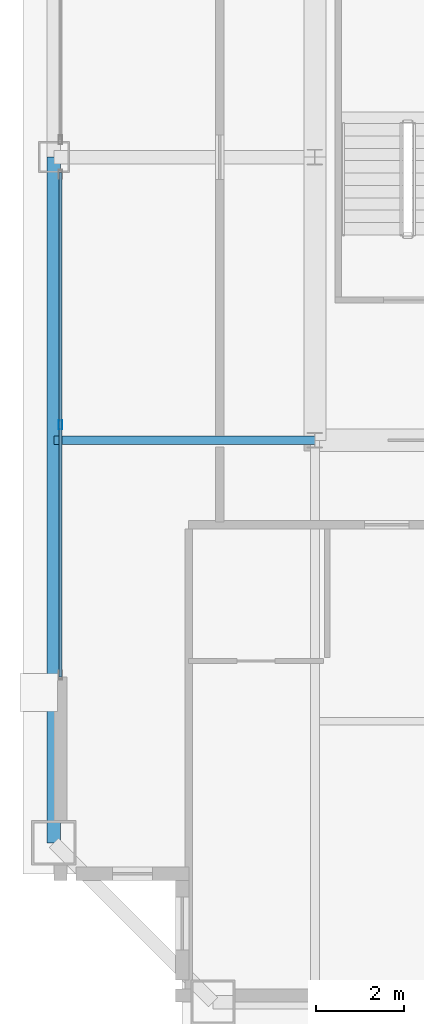
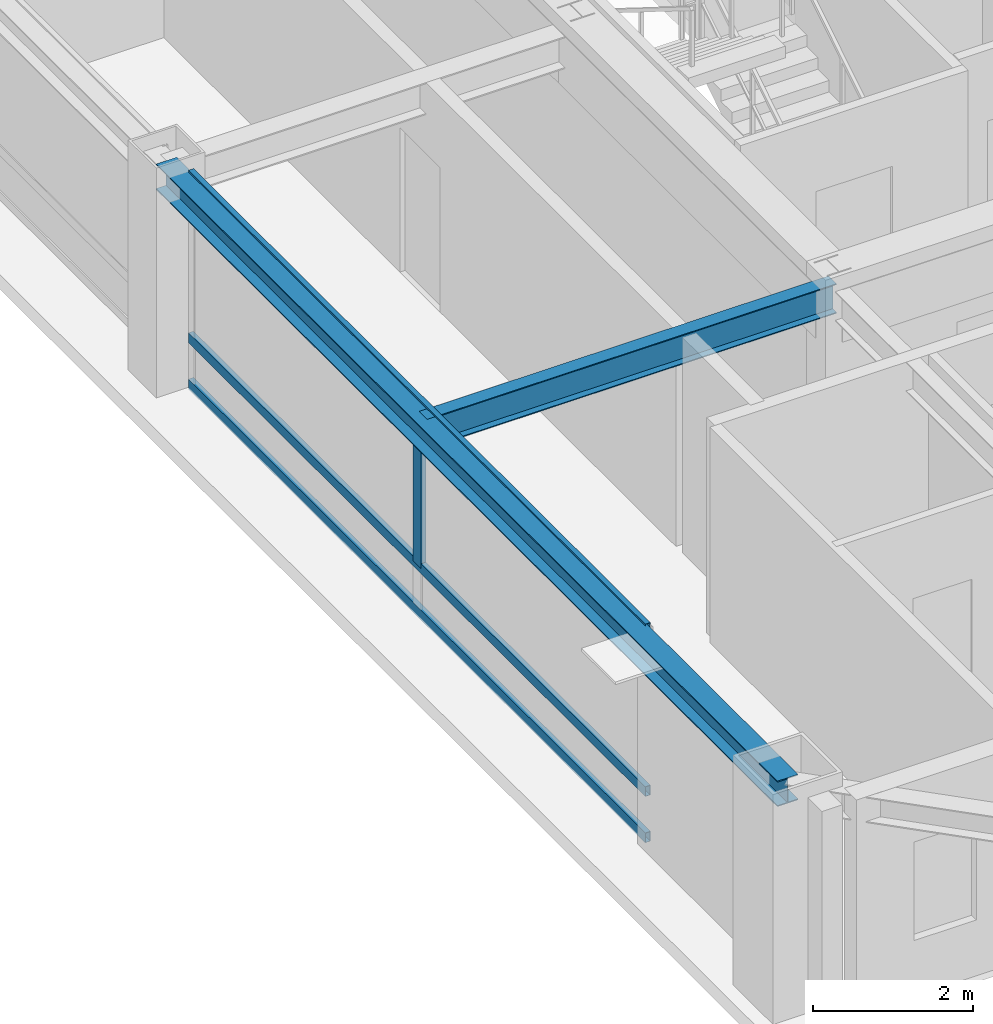
# One storey, part 6 of 35: 4 members, 2 beams, 1 element without a shape of its own.
"""IFC4 building model written with IfcOpenShell, lengths in metres."""

from ifc_helpers import new_model, si_unit, direction, frame, origin, origin_2d, place, context, subcontext, project, spatial, hollow_rectangle, i_section, extrude, source, transform, mapped, material, layer, layer_set, material_profile, profile_set, type_object, element, aggregate, save


model = new_model("IFC4")

# Units and contexts
model_context = context("Model", 3, precision=1e-05, world=origin(), true_north=direction((0.0, 1.0)))
body_context = subcontext(model_context, "Body", "Model", "MODEL_VIEW")
ifc_project = project(units=[si_unit("LENGTHUNIT", "METRE"), si_unit("AREAUNIT", "SQUARE_METRE"), si_unit("VOLUMEUNIT", "CUBIC_METRE"), si_unit("PLANEANGLEUNIT", "RADIAN"), si_unit("MASSUNIT", "GRAM", prefix="KILO"), si_unit("THERMODYNAMICTEMPERATUREUNIT", "KELVIN"), si_unit("POWERUNIT", "WATT")], contexts=[model_context])

# Site, building, storey
site_placement = place(None, origin())
site = spatial("IfcSite", under=ifc_project, at=site_placement, CompositionType="ELEMENT")
building_placement = place(site_placement, origin())
building = spatial("IfcBuilding", under=site, at=building_placement, Name="Yuzanri Waterfront Tower", CompositionType="ELEMENT")
storey_placement = place(building_placement, frame((0.0, 0.0, 311.199951171875)))
storey = spatial("IfcBuildingStorey", under=building, at=storey_placement, Name="L83", CompositionType="ELEMENT", Elevation=311.199951171875)

# Beams
ifc_material_1 = material(Name="Steel Q355B", Category="steel")
ifc_material_profile_1 = material_profile(ifc_material_1, i_section(OverallWidth=0.300048828125, OverallDepth=0.389892578125, WebThickness=0.010009765625, FlangeThickness=0.01611328125, at=origin_2d()), Name="HM 390x300x10x16")
ifc_profile_set_1 = profile_set([ifc_material_profile_1], Name="Steel Q355B")
beam_type_1 = type_object("IfcBeamType", Name="Perimeter Spandrel Q355B HM 390x300", PredefinedType="SPANDREL", material=ifc_profile_set_1)
shared_shape_1 = source(origin(), body_context, "Body", "SweptSolid", [
    extrude(i_section(OverallWidth=0.300048828125, OverallDepth=0.389892578125, WebThickness=0.010009765625, FlangeThickness=0.01611328125, at=origin_2d()), origin(), (0.0, 0.0, 1.0), 15.5),
])
beam_1_placement = place(storey_placement, frame((17.89990234375, 25.800048828125, 3.0849609375), z_axis=(0.0, -1.0, 0.0), x_axis=(1.0, 0.0, 0.0)))
element("IfcBeam", 1, at=beam_1_placement, inside=storey, type_object=beam_type_1, Name="L83 Perimeter Spandrel W2-W1", PredefinedType="SPANDREL", context=body_context, shape_type="MappedRepresentation", body=[
    mapped(shared_shape_1, transform((0.0, 0.0, 0.0), scale=1.0)),
])
ifc_material_2 = material(Name="Steel Q355B", Category="steel")
ifc_material_profile_2 = material_profile(ifc_material_2, i_section(OverallWidth=0.199951171875, OverallDepth=0.449951171875, WebThickness=0.009033203125, FlangeThickness=0.013916015625, at=origin_2d()), Name="HN 450x200x9x14")
ifc_profile_set_2 = profile_set([ifc_material_profile_2], Name="Steel Q355B")
beam_type_2 = type_object("IfcBeamType", Name="Secondary Floor Beam Q355B HN 450x200", PredefinedType="BEAM", material=ifc_profile_set_2)
shared_shape_2 = source(origin(), body_context, "Body", "SweptSolid", [
    extrude(i_section(OverallWidth=0.199951171875, OverallDepth=0.449951171875, WebThickness=0.009033203125, FlangeThickness=0.013916015625, at=origin_2d()), origin(), (0.0, 0.0, 1.0), 5.900146484375),
])
beam_2_placement = place(storey_placement, frame((23.800048828125, 19.39990234375, 3.054931640625), z_axis=(-1.0, 0.0, 0.0), x_axis=(0.0, -1.0, 0.0)))
element("IfcBeam", 2, at=beam_2_placement, inside=storey, type_object=beam_type_2, Name="L83 West-South Core Line Beam", PredefinedType="BEAM", context=body_context, shape_type="MappedRepresentation", body=[
    mapped(shared_shape_2, transform((0.0, 0.0, 0.0), scale=1.0)),
])

# Curtain wall, members
ifc_material_3 = material(Name="Anodized Architectural Bronze", Category="metal")
ifc_layer = layer(ifc_material_3, 0.159912109375)
ifc_layer_set = layer_set([ifc_layer], Name="Anodized Architectural Bronze")
curtain_wall_type = type_object("IfcCurtainWallType", Name="Anodized Bronze High-Rise Penthouse High-Wind Unitized Curtain Wall 6900", PredefinedType="NOTDEFINED", material=ifc_layer_set)
curtain_wall_placement = place(storey_placement, origin())
curtain_wall = element("IfcCurtainWall", 3, at=curtain_wall_placement, inside=storey, type_object=curtain_wall_type, Name="L83 Curtain Wall CW-L83-WL", PredefinedType="NOTDEFINED")
ifc_material_4 = material(Name="Anodized Architectural Bronze", Category="metal")
ifc_material_profile_3 = material_profile(ifc_material_4, hollow_rectangle(XDim=0.074951171875, YDim=0.199951171875, WallThickness=0.00390625, at=origin_2d()), Name="CWM 75x200")
ifc_profile_set_3 = profile_set([ifc_material_profile_3], Name="Anodized Architectural Bronze")
member_type_1 = type_object("IfcMemberType", Name="Anodized Bronze Primary Curtain-Wall Mullion 75x200", PredefinedType="MULLION", material=ifc_profile_set_3)
shared_shape_3 = source(origin(), body_context, "Body", "SweptSolid", [
    extrude(hollow_rectangle(XDim=0.074951171875, YDim=0.199951171875, WallThickness=0.00390625, at=origin_2d()), origin(), (0.0, 0.0, 1.0), 2.52392578125),
])
member_1_placement = place(storey_placement, frame((18.050048828125, 19.75, 0.756103515625), z_axis=(0.0, 0.0, 1.0), x_axis=(1.0, 0.0, 0.0)))
member_1 = element("IfcMember", 4, at=member_1_placement, type_object=member_type_1, Name="CW-L83-WL Upper Mullion 01", PredefinedType="MULLION", context=body_context, shape_type="MappedRepresentation", body=[
    mapped(shared_shape_3, transform((0.0, 0.0, 0.0), scale=1.0)),
])
ifc_material_5 = material(Name="Anodized Architectural Bronze", Category="metal")
ifc_material_profile_4 = material_profile(ifc_material_5, hollow_rectangle(XDim=0.074951171875, YDim=0.14990234375, WallThickness=0.00390625, at=origin_2d()), Name="CWT 75x150")
ifc_profile_set_4 = profile_set([ifc_material_profile_4], Name="Anodized Architectural Bronze")
member_type_2 = type_object("IfcMemberType", Name="Anodized Bronze Primary Curtain-Wall Transom 75x150", PredefinedType="USERDEFINED", material=ifc_profile_set_4)
shared_shape_4 = source(origin(), body_context, "Body", "SweptSolid", [
    extrude(hollow_rectangle(XDim=0.074951171875, YDim=0.14990234375, WallThickness=0.00390625, at=origin_2d()), origin(), (0.0, 0.0, 1.0), 11.39990234375),
])
member_2_placement = place(storey_placement, frame((18.050048828125, 14.050048828125, 0.050048828125), z_axis=(0.0, 1.0, 0.0), x_axis=(-1.0, 0.0, 0.0)))
member_2 = element("IfcMember", 5, at=member_2_placement, type_object=member_type_2, Name="CW-L83-WL Transom 1", ObjectType="TRANSOM", PredefinedType="USERDEFINED", context=body_context, shape_type="MappedRepresentation", body=[
    mapped(shared_shape_4, transform((0.0, 0.0, 0.0), scale=1.0)),
])
member_3_placement = place(storey_placement, frame((18.050048828125, 14.050048828125, 0.754150390625), z_axis=(0.0, 1.0, 0.0), x_axis=(-1.0, 0.0, 0.0)))
member_3 = element("IfcMember", 6, at=member_3_placement, type_object=member_type_2, Name="CW-L83-WL Transom 2", ObjectType="TRANSOM", PredefinedType="USERDEFINED", context=body_context, shape_type="MappedRepresentation", body=[
    mapped(shared_shape_4, transform((0.0, 0.0, 0.0), scale=1.0)),
])
member_4_placement = place(storey_placement, frame((18.050048828125, 14.050048828125, 3.22998046875), z_axis=(0.0, 1.0, 0.0), x_axis=(-1.0, 0.0, 0.0)))
member_4 = element("IfcMember", 7, at=member_4_placement, type_object=member_type_2, Name="CW-L83-WL Transom 3", ObjectType="TRANSOM", PredefinedType="USERDEFINED", context=body_context, shape_type="MappedRepresentation", body=[
    mapped(shared_shape_4, transform((0.0, 0.0, 0.0), scale=1.0)),
])
aggregate(curtain_wall, [member_1, member_2, member_3, member_4])

save(model, "model.ifc")
